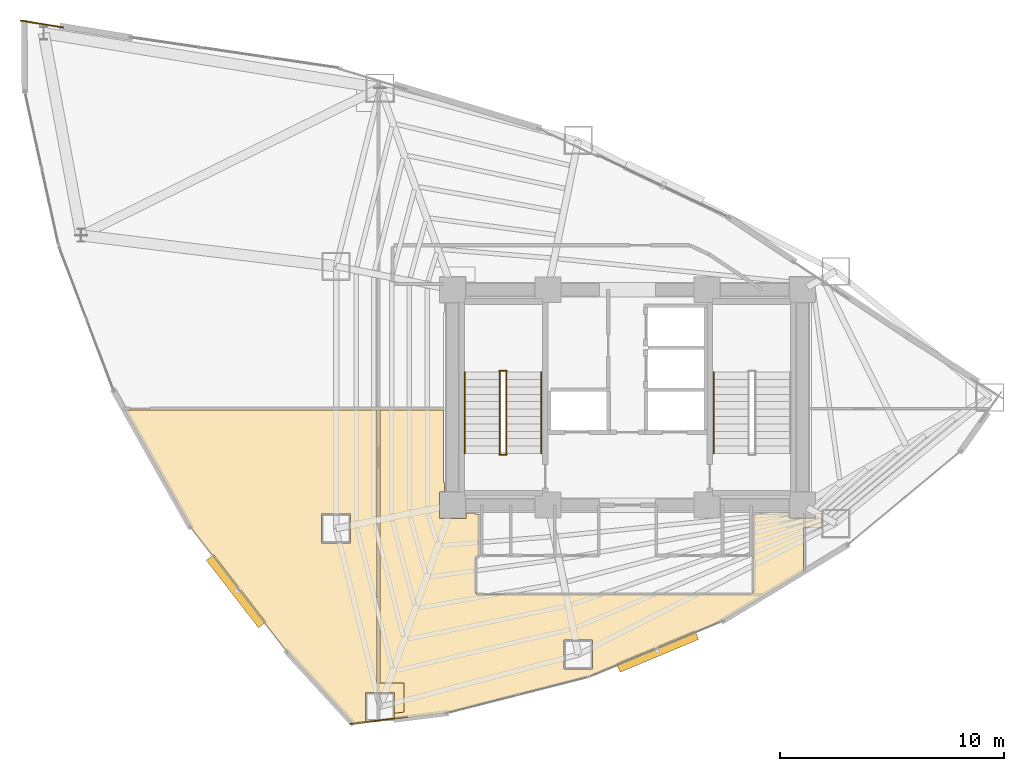
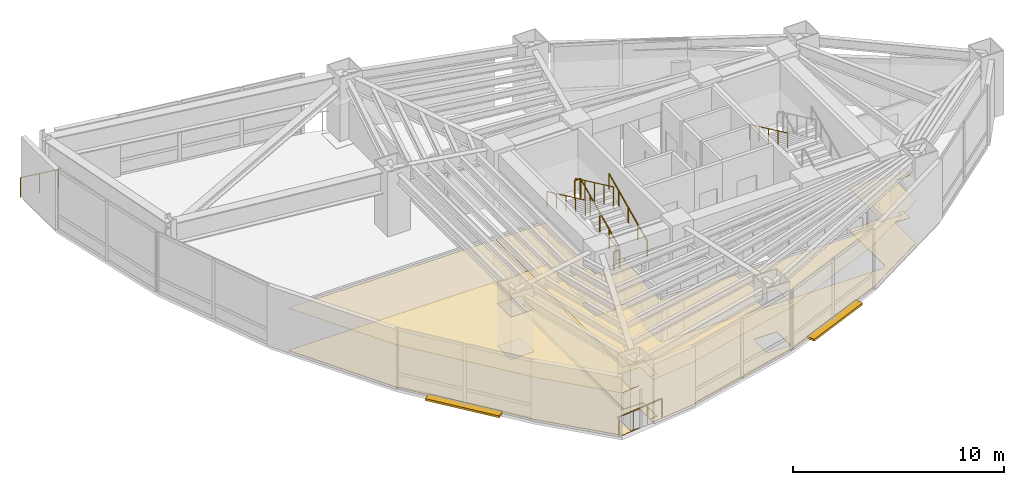
# One storey, part 22 of 23: 9 railings, 4 coverings, 2 shading devices.
"""IFC4 building model written with IfcOpenShell, lengths in metres."""

from ifc_helpers import new_model, si_unit, direction, frame, origin, origin_2d, place, context, subcontext, project, spatial, polyline, rectangle, circle, outline, extrude, material, layer, layer_set, type_object, element, save


model = new_model("IFC4")

# Units and contexts
model_context = context("Model", 3, precision=1e-05, world=origin(), true_north=direction((0.0, 1.0)))
body_context = subcontext(model_context, "Body", "Model", "MODEL_VIEW")
ifc_project = project(units=[si_unit("LENGTHUNIT", "METRE"), si_unit("AREAUNIT", "SQUARE_METRE"), si_unit("VOLUMEUNIT", "CUBIC_METRE"), si_unit("PLANEANGLEUNIT", "RADIAN"), si_unit("MASSUNIT", "GRAM", prefix="KILO")], contexts=[model_context])

# Site, building, storey
site_placement = place(None, origin())
site = spatial("IfcSite", under=ifc_project, at=site_placement, CompositionType="ELEMENT")
building_placement = place(site_placement, origin())
building = spatial("IfcBuilding", under=site, at=building_placement, Name="Menara Vayukalpa", CompositionType="ELEMENT")
storey_placement = place(building_placement, frame((0.0, 0.0, 107.699951171875)))
storey = spatial("IfcBuildingStorey", under=building, at=storey_placement, Name="L26", CompositionType="ELEMENT", Elevation=107.699951171875)

# Coverings
ifc_material_1 = material(Name="Mineral Fibre Acoustic Ceiling Tile", Category="masonry")
ifc_layer_1 = layer(ifc_material_1, 0.02490234375)
ifc_layer_set_1 = layer_set([ifc_layer_1], Name="Mineral Fibre Acoustic Ceiling Tile")
covering_type_1 = type_object("IfcCoveringType", Name="COV-CLG1", PredefinedType="CEILING", material=ifc_layer_set_1)
covering_1_placement = place(storey_placement, frame((0.0, 0.0, 2.449951171875)))
element("IfcCovering", 1, at=covering_1_placement, inside=storey, type_object=covering_type_1, Name="L26 Open Plan Office Workplace Acoustic Ceiling", PredefinedType="CEILING", context=body_context, shape_type="SweptSolid", body=[
    extrude(outline(polyline([(15.629150390625, 7.968505859375), (15.208984375, 7.916259765625), (15.208984375, 8.842529296875), (13.92919921875, 8.842529296875), (13.92919921875, 7.5625), (14.43994140625, 7.5625), (14.43994140625, 7.556884765625), (14.43994140625, 7.555908203125), (14.439697265625, 7.55517578125), (14.439697265625, 7.55419921875), (14.439208984375, 7.55322265625), (14.43896484375, 7.552490234375), (14.4384765625, 7.551513671875), (14.437744140625, 7.55078125), (14.437255859375, 7.550048828125), (14.4365234375, 7.54931640625), (14.435791015625, 7.548828125), (14.434814453125, 7.54833984375), (14.43408203125, 7.5478515625), (14.43310546875, 7.547607421875), (14.43212890625, 7.547119140625), (14.43115234375, 7.547119140625), (13.4052734375, 7.419189453125), (13.404296875, 7.419189453125), (13.4033203125, 7.419189453125), (13.402587890625, 7.419189453125), (13.401611328125, 7.41943359375), (13.400634765625, 7.419677734375), (13.39990234375, 7.420166015625), (13.39892578125, 7.42041015625), (13.398193359375, 7.421142578125), (13.3974609375, 7.421630859375), (13.396728515625, 7.42236328125), (10.439208984375, 10.650634765625), (10.438720703125, 10.6513671875), (6.10546875, 16.248046875), (6.104736328125, 16.249267578125), (3.193603515625, 21.425048828125), (3.193115234375, 21.426025390625), (3.192626953125, 21.427001953125), (3.1923828125, 21.427978515625), (3.1923828125, 21.4287109375), (3.192138671875, 21.4296875), (3.192138671875, 21.430908203125), (3.1923828125, 21.431884765625), (3.192626953125, 21.432861328125), (3.19287109375, 21.43359375), (3.193359375, 21.4345703125), (3.19384765625, 21.435546875), (3.1943359375, 21.436279296875), (3.195068359375, 21.43701171875), (3.19580078125, 21.437744140625), (3.196533203125, 21.438232421875), (3.197509765625, 21.438720703125), (3.1982421875, 21.439208984375), (3.19921875, 21.439697265625), (3.2001953125, 21.439697265625), (3.201171875, 21.43994140625), (3.2021484375, 21.43994140625), (14.429931640625, 21.43994140625), (14.430908203125, 21.43994140625), (14.431884765625, 21.439697265625), (14.432861328125, 21.439697265625), (14.433837890625, 21.439208984375), (14.434814453125, 21.438720703125), (14.435546875, 21.438232421875), (14.436279296875, 21.437744140625), (14.43701171875, 21.43701171875), (14.437744140625, 21.436279296875), (14.438232421875, 21.435546875), (14.438720703125, 21.434814453125), (14.439208984375, 21.433837890625), (14.439697265625, 21.432861328125), (14.439697265625, 21.431884765625), (14.43994140625, 21.430908203125), (14.43994140625, 21.429931640625), (14.43994140625, 9.2626953125), (15.629150390625, 9.2626953125), (15.629150390625, 7.968505859375)]), holes=[polyline([(13.24658203125, 16.794189453125), (11.966552734375, 16.794189453125), (11.966552734375, 15.514404296875), (13.24658203125, 15.514404296875), (13.24658203125, 16.794189453125)])]), origin(), (0.0, 0.0, 1.0), 0.025146484375),
])
covering_2_placement = place(storey_placement, frame((0.0, 0.0, 2.449951171875)))
element("IfcCovering", 2, at=covering_2_placement, inside=storey, type_object=covering_type_1, Name="L26 Open Plan Office Workplace Acoustic Ceiling", PredefinedType="CEILING", context=body_context, shape_type="SweptSolid", body=[
    extrude(outline(polyline([(13.509033203125, 9.2626953125), (14.56005859375, 9.2626953125), (14.56005859375, 21.429931640625), (14.56005859375, 21.430908203125), (14.560302734375, 21.431884765625), (14.560302734375, 21.432861328125), (14.560791015625, 21.433837890625), (14.561279296875, 21.434814453125), (14.561767578125, 21.435546875), (14.562255859375, 21.436279296875), (14.56298828125, 21.43701171875), (14.563720703125, 21.437744140625), (14.564453125, 21.438232421875), (14.565185546875, 21.438720703125), (14.566162109375, 21.439208984375), (14.567138671875, 21.439697265625), (14.568115234375, 21.439697265625), (14.569091796875, 21.43994140625), (14.570068359375, 21.43994140625), (17.3798828125, 21.43994140625), (17.381103515625, 21.43994140625), (17.382080078125, 21.439697265625), (17.3828125, 21.439697265625), (17.3837890625, 21.439208984375), (17.384765625, 21.438720703125), (17.385498046875, 21.438232421875), (17.38623046875, 21.437744140625), (17.38720703125, 21.43701171875), (17.3876953125, 21.436279296875), (17.38818359375, 21.435546875), (17.388916015625, 21.434814453125), (17.38916015625, 21.433837890625), (17.3896484375, 21.432861328125), (17.389892578125, 21.431884765625), (17.389892578125, 21.430908203125), (17.389892578125, 21.429931640625), (17.389892578125, 18.2099609375), (17.449951171875, 18.2099609375), (17.449951171875, 17.7900390625), (17.2099609375, 17.7900390625), (17.2099609375, 16.610107421875), (18.389892578125, 16.610107421875), (18.389892578125, 16.85009765625), (18.81005859375, 16.85009765625), (18.81005859375, 16.7900390625), (18.97998046875, 16.7900390625), (18.98095703125, 16.7900390625), (18.98193359375, 16.789794921875), (18.98291015625, 16.78955078125), (18.98388671875, 16.789306640625), (18.984619140625, 16.788818359375), (18.985595703125, 16.788330078125), (18.986328125, 16.78759765625), (18.987060546875, 16.787109375), (18.98779296875, 16.786376953125), (18.98828125, 16.78564453125), (18.98876953125, 16.78466796875), (18.9892578125, 16.78369140625), (18.989501953125, 16.782958984375), (18.98974609375, 16.781982421875), (18.989990234375, 16.781005859375), (18.989990234375, 16.780029296875), (18.989990234375, 14.929931640625), (18.989990234375, 14.928955078125), (18.98974609375, 14.927978515625), (18.989501953125, 14.927001953125), (18.9892578125, 14.92626953125), (18.98876953125, 14.92529296875), (18.98828125, 14.92431640625), (18.98779296875, 14.923583984375), (18.987060546875, 14.9228515625), (18.986328125, 14.92236328125), (18.985595703125, 14.921630859375), (18.984619140625, 14.921142578125), (18.98388671875, 14.9208984375), (18.98291015625, 14.92041015625), (18.98193359375, 14.920166015625), (18.98095703125, 14.919921875), (18.97998046875, 14.919921875), (18.900390625, 14.919921875), (18.893310546875, 14.919677734375), (18.88623046875, 14.918701171875), (18.879638671875, 14.9169921875), (18.873291015625, 14.914794921875), (18.866943359375, 14.911865234375), (18.861083984375, 14.908203125), (18.85546875, 14.904052734375), (18.8505859375, 14.8994140625), (18.845947265625, 14.89453125), (18.841796875, 14.888916015625), (18.838134765625, 14.883056640625), (18.835205078125, 14.876708984375), (18.8330078125, 14.870361328125), (18.831298828125, 14.86376953125), (18.830322265625, 14.856689453125), (18.830078125, 14.849609375), (18.830078125, 13.290283203125), (18.830322265625, 13.283203125), (18.831298828125, 13.2763671875), (18.8330078125, 13.269775390625), (18.835205078125, 13.26318359375), (18.838134765625, 13.257080078125), (18.841796875, 13.251220703125), (18.845947265625, 13.24560546875), (18.8505859375, 13.240478515625), (18.85546875, 13.236083984375), (18.861083984375, 13.231689453125), (18.866943359375, 13.228271484375), (18.873291015625, 13.225341796875), (18.879638671875, 13.222900390625), (18.88623046875, 13.22119140625), (18.893310546875, 13.220458984375), (18.900390625, 13.219970703125), (31.048828125, 13.219970703125), (31.055419921875, 13.22021484375), (31.0615234375, 13.22119140625), (31.06787109375, 13.22265625), (31.073974609375, 13.224609375), (31.079833984375, 13.22705078125), (31.085693359375, 13.230224609375), (31.186279296875, 13.29150390625), (31.192138671875, 13.295654296875), (31.19775390625, 13.30029296875), (31.202880859375, 13.305419921875), (31.207275390625, 13.31103515625), (31.2109375, 13.317138671875), (31.214111328125, 13.323486328125), (31.216796875, 13.330078125), (31.218505859375, 13.337158203125), (31.219482421875, 13.34423828125), (31.219970703125, 13.3515625), (31.219970703125, 14.849609375), (31.219482421875, 14.856689453125), (31.21875, 14.86376953125), (31.217041015625, 14.870361328125), (31.214599609375, 14.876708984375), (31.2119140625, 14.8828125), (31.211669921875, 14.883056640625), (31.211181640625, 14.8837890625), (31.210693359375, 14.884765625), (31.21044921875, 14.8857421875), (31.210205078125, 14.88671875), (31.2099609375, 14.8876953125), (31.2099609375, 14.888671875), (31.2099609375, 16.780029296875), (31.2099609375, 16.781005859375), (31.210205078125, 16.781982421875), (31.21044921875, 16.782958984375), (31.210693359375, 16.78369140625), (31.211181640625, 16.78466796875), (31.211669921875, 16.78564453125), (31.21240234375, 16.786376953125), (31.212890625, 16.787109375), (31.213623046875, 16.78759765625), (31.21435546875, 16.788330078125), (31.21533203125, 16.788818359375), (31.21630859375, 16.789306640625), (31.217041015625, 16.78955078125), (31.218017578125, 16.789794921875), (31.218994140625, 16.7900390625), (31.219970703125, 16.7900390625), (32.389892578125, 16.7900390625), (32.389892578125, 16.85009765625), (32.81005859375, 16.85009765625), (32.81005859375, 16.610107421875), (33.989990234375, 16.610107421875), (33.989990234375, 16.85009765625), (34.246826171875, 16.85009765625), (34.246826171875, 16.18994140625), (33.43994140625, 16.18994140625), (33.43994140625, 14.240966796875), (33.440185546875, 14.235107421875), (33.440185546875, 14.23486328125), (33.4404296875, 14.23388671875), (33.4404296875, 14.23291015625), (33.440185546875, 14.23193359375), (33.440185546875, 14.23095703125), (33.439697265625, 14.22998046875), (33.439453125, 14.229248046875), (33.43896484375, 14.228271484375), (33.4384765625, 14.2275390625), (33.437744140625, 14.226806640625), (33.43701171875, 14.22607421875), (33.436279296875, 14.2255859375), (33.435546875, 14.22509765625), (29.862060546875, 12.05419921875), (29.861328125, 12.0537109375), (29.860595703125, 12.053466796875), (23.90478515625, 9.562255859375), (23.903564453125, 9.561767578125), (17.50927734375, 7.930908203125), (17.5078125, 7.9306640625), (15.208984375, 7.64404296875), (15.208984375, 8.842529296875), (13.92919921875, 8.842529296875), (13.92919921875, 7.756591796875), (13.509033203125, 7.7041015625), (13.509033203125, 9.2626953125)]), holes=[polyline([(24.048095703125, 11.172607421875), (22.768310546875, 11.172607421875), (22.768310546875, 9.892578125), (24.048095703125, 9.892578125), (24.048095703125, 11.172607421875)])]), origin(), (0.0, 0.0, 1.0), 0.025146484375),
])
ifc_material_2 = material(Name="Porcelain Stoneware Floor Tile", Category="masonry")
ifc_layer_2 = layer(ifc_material_2, 0.02001953125)
ifc_layer_set_2 = layer_set([ifc_layer_2], Name="Porcelain Stoneware Floor Tile")
covering_type_2 = type_object("IfcCoveringType", Name="COV-FLR1", PredefinedType="FLOORING", material=ifc_layer_set_2)
covering_3_placement = place(storey_placement, origin())
element("IfcCovering", 3, at=covering_3_placement, inside=storey, type_object=covering_type_2, Name="L26 Open Plan Office Workplace Porcelain Flooring", PredefinedType="FLOORING", context=body_context, shape_type="SweptSolid", body=[
    extrude(outline(polyline([(15.629150390625, 7.968505859375), (15.208984375, 7.916259765625), (15.208984375, 8.842529296875), (13.92919921875, 8.842529296875), (13.92919921875, 7.5625), (14.43994140625, 7.5625), (14.43994140625, 7.556884765625), (14.43994140625, 7.555908203125), (14.439697265625, 7.55517578125), (14.439697265625, 7.55419921875), (14.439208984375, 7.55322265625), (14.43896484375, 7.552490234375), (14.4384765625, 7.551513671875), (14.437744140625, 7.55078125), (14.437255859375, 7.550048828125), (14.4365234375, 7.54931640625), (14.435791015625, 7.548828125), (14.434814453125, 7.54833984375), (14.43408203125, 7.5478515625), (14.43310546875, 7.547607421875), (14.43212890625, 7.547119140625), (14.43115234375, 7.547119140625), (13.4052734375, 7.419189453125), (13.404296875, 7.419189453125), (13.4033203125, 7.419189453125), (13.402587890625, 7.419189453125), (13.401611328125, 7.41943359375), (13.400634765625, 7.419677734375), (13.39990234375, 7.420166015625), (13.39892578125, 7.42041015625), (13.398193359375, 7.421142578125), (13.3974609375, 7.421630859375), (13.396728515625, 7.42236328125), (10.439208984375, 10.650634765625), (10.438720703125, 10.6513671875), (6.10546875, 16.248046875), (6.104736328125, 16.249267578125), (3.193603515625, 21.425048828125), (3.193115234375, 21.426025390625), (3.192626953125, 21.427001953125), (3.1923828125, 21.427978515625), (3.1923828125, 21.4287109375), (3.192138671875, 21.4296875), (3.192138671875, 21.430908203125), (3.1923828125, 21.431884765625), (3.192626953125, 21.432861328125), (3.19287109375, 21.43359375), (3.193359375, 21.4345703125), (3.19384765625, 21.435546875), (3.1943359375, 21.436279296875), (3.195068359375, 21.43701171875), (3.19580078125, 21.437744140625), (3.196533203125, 21.438232421875), (3.197509765625, 21.438720703125), (3.1982421875, 21.439208984375), (3.19921875, 21.439697265625), (3.2001953125, 21.439697265625), (3.201171875, 21.43994140625), (3.2021484375, 21.43994140625), (14.429931640625, 21.43994140625), (14.430908203125, 21.43994140625), (14.431884765625, 21.439697265625), (14.432861328125, 21.439697265625), (14.433837890625, 21.439208984375), (14.434814453125, 21.438720703125), (14.435546875, 21.438232421875), (14.436279296875, 21.437744140625), (14.43701171875, 21.43701171875), (14.437744140625, 21.436279296875), (14.438232421875, 21.435546875), (14.438720703125, 21.434814453125), (14.439208984375, 21.433837890625), (14.439697265625, 21.432861328125), (14.439697265625, 21.431884765625), (14.43994140625, 21.430908203125), (14.43994140625, 21.429931640625), (14.43994140625, 9.2626953125), (15.629150390625, 9.2626953125), (15.629150390625, 7.968505859375)]), holes=[polyline([(13.24658203125, 16.794189453125), (11.966552734375, 16.794189453125), (11.966552734375, 15.514404296875), (13.24658203125, 15.514404296875), (13.24658203125, 16.794189453125)])]), origin(), (0.0, 0.0, 1.0), 0.02001953125),
])
covering_4_placement = place(storey_placement, origin())
element("IfcCovering", 4, at=covering_4_placement, inside=storey, type_object=covering_type_2, Name="L26 Open Plan Office Workplace Porcelain Flooring", PredefinedType="FLOORING", context=body_context, shape_type="SweptSolid", body=[
    extrude(outline(polyline([(13.509033203125, 9.2626953125), (14.56005859375, 9.2626953125), (14.56005859375, 21.429931640625), (14.56005859375, 21.430908203125), (14.560302734375, 21.431884765625), (14.560302734375, 21.432861328125), (14.560791015625, 21.433837890625), (14.561279296875, 21.434814453125), (14.561767578125, 21.435546875), (14.562255859375, 21.436279296875), (14.56298828125, 21.43701171875), (14.563720703125, 21.437744140625), (14.564453125, 21.438232421875), (14.565185546875, 21.438720703125), (14.566162109375, 21.439208984375), (14.567138671875, 21.439697265625), (14.568115234375, 21.439697265625), (14.569091796875, 21.43994140625), (14.570068359375, 21.43994140625), (17.3798828125, 21.43994140625), (17.381103515625, 21.43994140625), (17.382080078125, 21.439697265625), (17.3828125, 21.439697265625), (17.3837890625, 21.439208984375), (17.384765625, 21.438720703125), (17.385498046875, 21.438232421875), (17.38623046875, 21.437744140625), (17.38720703125, 21.43701171875), (17.3876953125, 21.436279296875), (17.38818359375, 21.435546875), (17.388916015625, 21.434814453125), (17.38916015625, 21.433837890625), (17.3896484375, 21.432861328125), (17.389892578125, 21.431884765625), (17.389892578125, 21.430908203125), (17.389892578125, 21.429931640625), (17.389892578125, 18.2099609375), (17.449951171875, 18.2099609375), (17.449951171875, 17.7900390625), (17.2099609375, 17.7900390625), (17.2099609375, 16.610107421875), (18.389892578125, 16.610107421875), (18.389892578125, 16.85009765625), (18.81005859375, 16.85009765625), (18.81005859375, 16.7900390625), (18.97998046875, 16.7900390625), (18.98095703125, 16.7900390625), (18.98193359375, 16.789794921875), (18.98291015625, 16.78955078125), (18.98388671875, 16.789306640625), (18.984619140625, 16.788818359375), (18.985595703125, 16.788330078125), (18.986328125, 16.78759765625), (18.987060546875, 16.787109375), (18.98779296875, 16.786376953125), (18.98828125, 16.78564453125), (18.98876953125, 16.78466796875), (18.9892578125, 16.78369140625), (18.989501953125, 16.782958984375), (18.98974609375, 16.781982421875), (18.989990234375, 16.781005859375), (18.989990234375, 16.780029296875), (18.989990234375, 14.929931640625), (18.989990234375, 14.928955078125), (18.98974609375, 14.927978515625), (18.989501953125, 14.927001953125), (18.9892578125, 14.92626953125), (18.98876953125, 14.92529296875), (18.98828125, 14.92431640625), (18.98779296875, 14.923583984375), (18.987060546875, 14.9228515625), (18.986328125, 14.92236328125), (18.985595703125, 14.921630859375), (18.984619140625, 14.921142578125), (18.98388671875, 14.9208984375), (18.98291015625, 14.92041015625), (18.98193359375, 14.920166015625), (18.98095703125, 14.919921875), (18.97998046875, 14.919921875), (18.900390625, 14.919921875), (18.893310546875, 14.919677734375), (18.88623046875, 14.918701171875), (18.879638671875, 14.9169921875), (18.873291015625, 14.914794921875), (18.866943359375, 14.911865234375), (18.861083984375, 14.908203125), (18.85546875, 14.904052734375), (18.8505859375, 14.8994140625), (18.845947265625, 14.89453125), (18.841796875, 14.888916015625), (18.838134765625, 14.883056640625), (18.835205078125, 14.876708984375), (18.8330078125, 14.870361328125), (18.831298828125, 14.86376953125), (18.830322265625, 14.856689453125), (18.830078125, 14.849609375), (18.830078125, 13.290283203125), (18.830322265625, 13.283203125), (18.831298828125, 13.2763671875), (18.8330078125, 13.269775390625), (18.835205078125, 13.26318359375), (18.838134765625, 13.257080078125), (18.841796875, 13.251220703125), (18.845947265625, 13.24560546875), (18.8505859375, 13.240478515625), (18.85546875, 13.236083984375), (18.861083984375, 13.231689453125), (18.866943359375, 13.228271484375), (18.873291015625, 13.225341796875), (18.879638671875, 13.222900390625), (18.88623046875, 13.22119140625), (18.893310546875, 13.220458984375), (18.900390625, 13.219970703125), (31.048828125, 13.219970703125), (31.055419921875, 13.22021484375), (31.0615234375, 13.22119140625), (31.06787109375, 13.22265625), (31.073974609375, 13.224609375), (31.079833984375, 13.22705078125), (31.085693359375, 13.230224609375), (31.186279296875, 13.29150390625), (31.192138671875, 13.295654296875), (31.19775390625, 13.30029296875), (31.202880859375, 13.305419921875), (31.207275390625, 13.31103515625), (31.2109375, 13.317138671875), (31.214111328125, 13.323486328125), (31.216796875, 13.330078125), (31.218505859375, 13.337158203125), (31.219482421875, 13.34423828125), (31.219970703125, 13.3515625), (31.219970703125, 14.849609375), (31.219482421875, 14.856689453125), (31.21875, 14.86376953125), (31.217041015625, 14.870361328125), (31.214599609375, 14.876708984375), (31.2119140625, 14.8828125), (31.211669921875, 14.883056640625), (31.211181640625, 14.8837890625), (31.210693359375, 14.884765625), (31.21044921875, 14.8857421875), (31.210205078125, 14.88671875), (31.2099609375, 14.8876953125), (31.2099609375, 14.888671875), (31.2099609375, 16.780029296875), (31.2099609375, 16.781005859375), (31.210205078125, 16.781982421875), (31.21044921875, 16.782958984375), (31.210693359375, 16.78369140625), (31.211181640625, 16.78466796875), (31.211669921875, 16.78564453125), (31.21240234375, 16.786376953125), (31.212890625, 16.787109375), (31.213623046875, 16.78759765625), (31.21435546875, 16.788330078125), (31.21533203125, 16.788818359375), (31.21630859375, 16.789306640625), (31.217041015625, 16.78955078125), (31.218017578125, 16.789794921875), (31.218994140625, 16.7900390625), (31.219970703125, 16.7900390625), (32.389892578125, 16.7900390625), (32.389892578125, 16.85009765625), (32.81005859375, 16.85009765625), (32.81005859375, 16.610107421875), (33.989990234375, 16.610107421875), (33.989990234375, 16.85009765625), (34.246826171875, 16.85009765625), (34.246826171875, 16.18994140625), (33.43994140625, 16.18994140625), (33.43994140625, 14.240966796875), (33.440185546875, 14.235107421875), (33.440185546875, 14.23486328125), (33.4404296875, 14.23388671875), (33.4404296875, 14.23291015625), (33.440185546875, 14.23193359375), (33.440185546875, 14.23095703125), (33.439697265625, 14.22998046875), (33.439453125, 14.229248046875), (33.43896484375, 14.228271484375), (33.4384765625, 14.2275390625), (33.437744140625, 14.226806640625), (33.43701171875, 14.22607421875), (33.436279296875, 14.2255859375), (33.435546875, 14.22509765625), (29.862060546875, 12.05419921875), (29.861328125, 12.0537109375), (29.860595703125, 12.053466796875), (23.90478515625, 9.562255859375), (23.903564453125, 9.561767578125), (17.50927734375, 7.930908203125), (17.5078125, 7.9306640625), (15.208984375, 7.64404296875), (15.208984375, 8.842529296875), (13.92919921875, 8.842529296875), (13.92919921875, 7.756591796875), (13.509033203125, 7.7041015625), (13.509033203125, 9.2626953125)]), holes=[polyline([(24.048095703125, 11.172607421875), (22.768310546875, 11.172607421875), (22.768310546875, 9.892578125), (24.048095703125, 9.892578125), (24.048095703125, 11.172607421875)])]), origin(), (0.0, 0.0, 1.0), 0.02001953125),
])

# Railings
ifc_material_3 = material(Name="Laminated Glass and Stainless Steel 316 Guardrail", Category="steel")
railing_type_1 = type_object("IfcRailingType", Name="RLG-EXT115", PredefinedType="GUARDRAIL", material=ifc_material_3)
railing_1_placement = place(storey_placement, frame((0.4375, 38.49267578125, 0.0)))
element("IfcRailing", 5, at=railing_1_placement, inside=storey, type_object=railing_type_1, Name="L26 Column Corner Spandrel Guardrail 07-1", PredefinedType="GUARDRAIL", context=body_context, shape_type="SweptSolid", body=[
    extrude(circle(Radius=0.02392578125, at=origin_2d()), frame((0.0, 0.0, 1.1259765625), z_axis=(-0.98707028177, 0.160288049607, 0.0), x_axis=(-0.160288049607, -0.98707028177, 0.0)), (0.0, 0.0, 1.0), 1.9267578125),
    extrude(circle(Radius=0.02099609375, at=origin_2d()), origin(), (0.0, 0.0, 1.0), 1.101806640625),
    extrude(circle(Radius=0.02099609375, at=origin_2d()), frame((-0.950927734375, 0.154296875, 0.0)), (0.0, 0.0, 1.0), 1.101806640625),
    extrude(circle(Radius=0.02099609375, at=origin_2d()), frame((-1.90185546875, 0.308837890625, 0.0)), (0.0, 0.0, 1.0), 1.101806640625),
])
railing_2_placement = place(storey_placement, frame((13.231201171875, 7.437744140625, 0.0)))
element("IfcRailing", 6, at=railing_2_placement, inside=storey, type_object=railing_type_1, Name="L26 Column Corner Spandrel Guardrail 14-1", PredefinedType="GUARDRAIL", context=body_context, shape_type="SweptSolid", body=[
    extrude(circle(Radius=0.02392578125, at=origin_2d()), frame((0.0, 0.0, 1.1259765625), z_axis=(0.992317327434, 0.12371871998, 0.0), x_axis=(-0.12371871998, 0.992317327434, 0.0)), (0.0, 0.0, 1.0), 2.5673828125),
    extrude(circle(Radius=0.02099609375, at=origin_2d()), origin(), (0.0, 0.0, 1.0), 1.101806640625),
    extrude(circle(Radius=0.02099609375, at=origin_2d()), frame((0.84912109375, 0.10595703125, 0.0)), (0.0, 0.0, 1.0), 1.101806640625),
    extrude(circle(Radius=0.02099609375, at=origin_2d()), frame((1.698486328125, 0.211669921875, 0.0)), (0.0, 0.0, 1.0), 1.101806640625),
    extrude(circle(Radius=0.02099609375, at=origin_2d()), frame((2.547607421875, 0.317626953125, 0.0)), (0.0, 0.0, 1.0), 1.101806640625),
])
ifc_material_4 = material(Name="Powder-Coated Galvanised Steel Guardrail", Category="steel")
railing_type_2 = type_object("IfcRailingType", Name="RLG-STG110", PredefinedType="GUARDRAIL", material=ifc_material_4)
railing_3_placement = place(storey_placement, frame((20.199951171875, 19.5, 0.155029296875)))
element("IfcRailing", 7, at=railing_3_placement, inside=storey, type_object=railing_type_2, Name="L26 ST-1 stair guard 1", PredefinedType="GUARDRAIL", context=body_context, shape_type="SweptSolid", body=[
    extrude(circle(Radius=0.02392578125, at=origin_2d()), frame((0.0, 0.0, 1.09619140625), z_axis=(0.0, 0.90511648382, 0.425163675209), x_axis=(-1.0, 0.0, 0.0)), (0.0, 0.0, 1.0), 4.010498046875),
    extrude(circle(Radius=0.02099609375, at=origin_2d()), origin(), (0.0, 0.0, 1.0), 1.072021484375),
    extrude(circle(Radius=0.02099609375, at=origin_2d()), frame((0.0, 0.907470703125, 0.42626953125)), (0.0, 0.0, 1.0), 1.072021484375),
    extrude(circle(Radius=0.02099609375, at=origin_2d()), frame((0.0, 1.81494140625, 0.8525390625)), (0.0, 0.0, 1.0), 1.072021484375),
    extrude(circle(Radius=0.02099609375, at=origin_2d()), frame((0.0, 2.722412109375, 1.27880859375)), (0.0, 0.0, 1.0), 1.072021484375),
    extrude(circle(Radius=0.02099609375, at=origin_2d()), frame((0.0, 3.6298828125, 1.705078125)), (0.0, 0.0, 1.0), 1.072021484375),
])
railing_4_placement = place(storey_placement, frame((20.2099609375, 23.179931640625, 1.860107421875)))
element("IfcRailing", 8, at=railing_4_placement, inside=storey, type_object=railing_type_2, Name="L26 ST-1 stair guard 2", PredefinedType="GUARDRAIL", context=body_context, shape_type="SweptSolid", body=[
    extrude(circle(Radius=0.02392578125, at=origin_2d()), frame((0.0, 0.0, 1.09619140625), z_axis=(-1.0, 0.0, 0.0), x_axis=(0.0, -1.0, 0.0)), (0.0, 0.0, 1.0), 0.320068359375),
    extrude(circle(Radius=0.02099609375, at=origin_2d()), origin(), (0.0, 0.0, 1.0), 1.072021484375),
    extrude(circle(Radius=0.02099609375, at=origin_2d()), frame((-0.320068359375, 0.0, 0.0)), (0.0, 0.0, 1.0), 1.072021484375),
])
railing_5_placement = place(storey_placement, frame((19.89990234375, 23.1298828125, 2.01513671875)))
element("IfcRailing", 9, at=railing_5_placement, inside=storey, type_object=railing_type_2, Name="L26 ST-1 stair guard 3", PredefinedType="GUARDRAIL", context=body_context, shape_type="SweptSolid", body=[
    extrude(circle(Radius=0.02392578125, at=origin_2d()), frame((0.0, 0.0, 1.09619140625), z_axis=(0.0, -0.90513990983, 0.425113800803), x_axis=(1.0, 0.0, 0.0)), (0.0, 0.0, 1.0), 4.01025390625),
    extrude(circle(Radius=0.02099609375, at=origin_2d()), origin(), (0.0, 0.0, 1.0), 1.072021484375),
    extrude(circle(Radius=0.02099609375, at=origin_2d()), frame((0.0, -0.907470703125, 0.42626953125)), (0.0, 0.0, 1.0), 1.072021484375),
    extrude(circle(Radius=0.02099609375, at=origin_2d()), frame((0.0, -1.81494140625, 0.8525390625)), (0.0, 0.0, 1.0), 1.072021484375),
    extrude(circle(Radius=0.02099609375, at=origin_2d()), frame((0.0, -2.722412109375, 1.278564453125)), (0.0, 0.0, 1.0), 1.072021484375),
    extrude(circle(Radius=0.02099609375, at=origin_2d()), frame((0.0, -3.6298828125, 1.704833984375)), (0.0, 0.0, 1.0), 1.072021484375),
])
railing_6_placement = place(storey_placement, frame((20.2099609375, 19.449951171875, 0.0)))
element("IfcRailing", 10, at=railing_6_placement, inside=storey, type_object=railing_type_2, Name="L26 ST-1 stair guard 4", PredefinedType="GUARDRAIL", context=body_context, shape_type="SweptSolid", body=[
    extrude(circle(Radius=0.02392578125, at=origin_2d()), frame((0.0, 0.0, 1.09619140625), z_axis=(-1.0, 0.0, 0.0), x_axis=(0.0, -1.0, 0.0)), (0.0, 0.0, 1.0), 0.320068359375),
    extrude(circle(Radius=0.02099609375, at=origin_2d()), origin(), (0.0, 0.0, 1.0), 1.072021484375),
    extrude(circle(Radius=0.02099609375, at=origin_2d()), frame((-0.320068359375, 0.0, 0.0)), (0.0, 0.0, 1.0), 1.072021484375),
])
ifc_material_5 = material(Name="Stainless Steel 316 Tubular Handrail", Category="steel")
railing_type_3 = type_object("IfcRailingType", Name="RLG-STH090", PredefinedType="HANDRAIL", material=ifc_material_5)
railing_7_placement = place(storey_placement, frame((21.75, 19.5, 0.155029296875)))
element("IfcRailing", 11, at=railing_7_placement, inside=storey, type_object=railing_type_3, Name="L26 ST-1 stair handrail 1", PredefinedType="HANDRAIL", context=body_context, shape_type="SweptSolid", body=[
    extrude(circle(Radius=0.02392578125, at=origin_2d()), frame((0.0, 0.0, 0.8759765625), z_axis=(0.0, 0.90511648382, 0.425163675209), x_axis=(-1.0, 0.0, 0.0)), (0.0, 0.0, 1.0), 4.010498046875),
    extrude(circle(Radius=0.02099609375, at=origin_2d()), origin(), (0.0, 0.0, 1.0), 0.851806640625),
    extrude(circle(Radius=0.02099609375, at=origin_2d()), frame((0.0, 0.907470703125, 0.42626953125)), (0.0, 0.0, 1.0), 0.851806640625),
    extrude(circle(Radius=0.02099609375, at=origin_2d()), frame((0.0, 1.81494140625, 0.8525390625)), (0.0, 0.0, 1.0), 0.851806640625),
    extrude(circle(Radius=0.02099609375, at=origin_2d()), frame((0.0, 2.722412109375, 1.27880859375)), (0.0, 0.0, 1.0), 0.851806640625),
    extrude(circle(Radius=0.02099609375, at=origin_2d()), frame((0.0, 3.6298828125, 1.705078125)), (0.0, 0.0, 1.0), 0.851806640625),
])
for number, where, name in (
    (12, (18.35009765625, 23.1298828125, 2.01513671875), "L26 ST-1 stair handrail 2"),
    (13, (29.449951171875, 23.1298828125, 2.01513671875), "L26 ST-2 stair handrail 2"),
):
    element("IfcRailing", number, at=place(storey_placement, frame(where)), inside=storey, type_object=railing_type_3, Name=name, PredefinedType="HANDRAIL", context=body_context, shape_type="SweptSolid", body=[
        extrude(circle(Radius=0.02392578125, at=origin_2d()), frame((0.0, 0.0, 0.8759765625), z_axis=(0.0, -0.90513990983, 0.425113800803), x_axis=(1.0, 0.0, 0.0)), (0.0, 0.0, 1.0), 4.01025390625),
        extrude(circle(Radius=0.02099609375, at=origin_2d()), origin(), (0.0, 0.0, 1.0), 0.851806640625),
        extrude(circle(Radius=0.02099609375, at=origin_2d()), frame((0.0, -0.907470703125, 0.42626953125)), (0.0, 0.0, 1.0), 0.851806640625),
        extrude(circle(Radius=0.02099609375, at=origin_2d()), frame((0.0, -1.81494140625, 0.8525390625)), (0.0, 0.0, 1.0), 0.851806640625),
        extrude(circle(Radius=0.02099609375, at=origin_2d()), frame((0.0, -2.722412109375, 1.278564453125)), (0.0, 0.0, 1.0), 0.851806640625),
        extrude(circle(Radius=0.02099609375, at=origin_2d()), frame((0.0, -3.6298828125, 1.704833984375)), (0.0, 0.0, 1.0), 0.851806640625),
    ])

# Shading devices
ifc_material_6 = material(Name="Glazed Terracotta Ceramic Baguette Extrusion", Category="masonry")
ifc_layer_3 = layer(ifc_material_6, 0.1201171875)
ifc_layer_set_3 = layer_set([ifc_layer_3], Name="Glazed Terracotta Ceramic Baguette Extrusion")
shading_device_type = type_object("IfcShadingDeviceType", Name="SHD-SS1", PredefinedType="USERDEFINED", material=ifc_layer_set_3)
for number, where, z_axis, x_axis, name in (
    (14, (8.1533203125, 13.358154296875, -0.10009765625), (0.0, 0.0, 1.0), (0.612189679389, -0.790710943677, 0.0), "L26 Horizontal Terracotta Sunshade Band 13"),
    (15, (26.940673828125, 10.66943359375, -0.10009765625), (0.0, 0.0, 1.0), (0.922544824647, 0.385889940938, 0.0), "L26 Horizontal Terracotta Sunshade Band 17"),
):
    element("IfcShadingDevice", number, at=place(storey_placement, frame(where, z_axis=z_axis, x_axis=x_axis)), inside=storey, type_object=shading_device_type, Name=name, ObjectType="SUNSHADE", PredefinedType="USERDEFINED", context=body_context, shape_type="SweptSolid", body=[
        extrude(rectangle(XDim=3.800048828125, YDim=0.419921875, at=origin_2d()), origin(), (0.0, 0.0, 1.0), 0.1201171875),
    ])

save(model, "model.ifc")
